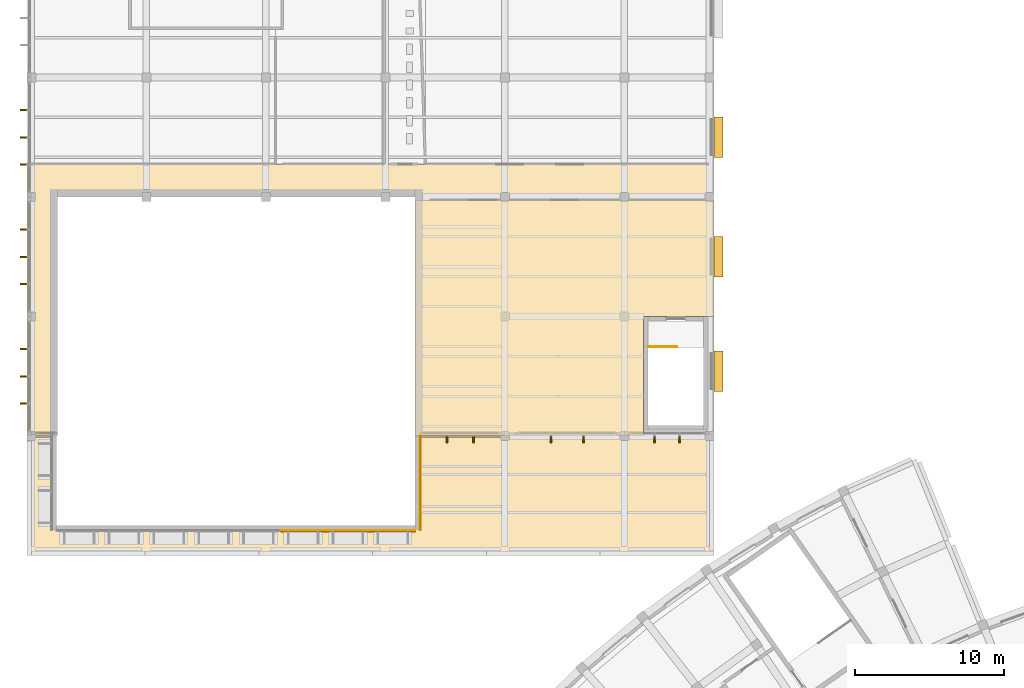
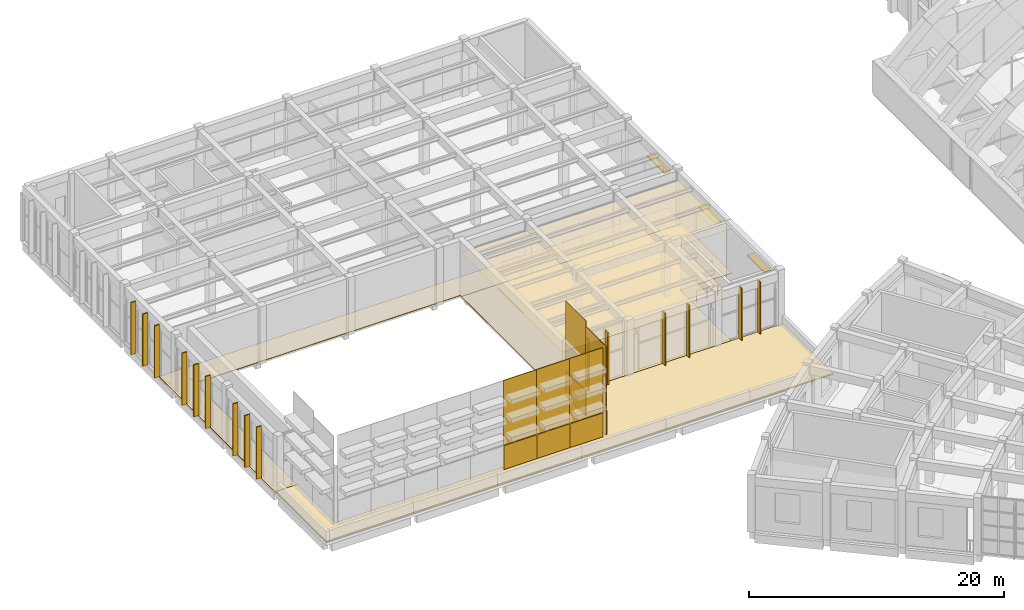
# One storey, part 83 of 94: 18 shading devices, 14 coverings, 1 railing.
"""IFC4 building model written with IfcOpenShell, lengths in metres."""

from ifc_helpers import new_model, si_unit, direction, frame, origin, origin_2d, place, context, subcontext, project, spatial, polyline, rectangle, circle, outline, extrude, material, layer, layer_set, type_object, element, save


model = new_model("IFC4")

# Units and contexts
model_context = context("Model", 3, precision=1e-05, world=origin(), true_north=direction((0.0, 1.0)))
body_context = subcontext(model_context, "Body", "Model", "MODEL_VIEW")
ifc_project = project(units=[si_unit("LENGTHUNIT", "METRE"), si_unit("AREAUNIT", "SQUARE_METRE"), si_unit("VOLUMEUNIT", "CUBIC_METRE"), si_unit("PLANEANGLEUNIT", "RADIAN"), si_unit("MASSUNIT", "GRAM", prefix="KILO")], contexts=[model_context])

# Site, building, storey
site_placement = place(None, origin())
site = spatial("IfcSite", under=ifc_project, at=site_placement, CompositionType="ELEMENT")
building_placement = place(site_placement, origin())
building = spatial("IfcBuilding", under=site, at=building_placement, Name="Lunette Opera House", CompositionType="ELEMENT")
storey_placement = place(building_placement, frame((0.0, 0.0, 22.5)))
storey = spatial("IfcBuildingStorey", under=building, at=storey_placement, Name="L04", CompositionType="ELEMENT", Elevation=22.5)

# Coverings
ifc_material_1 = material(Name="Clinker brick", Category="masonry")
ifc_layer_1 = layer(ifc_material_1, 0.114990234375)
ifc_layer_set_1 = layer_set([ifc_layer_1], Name="Clinker brick")
covering_type_1 = type_object("IfcCoveringType", Name="CLINKER CLADDING 115", PredefinedType="CLADDING", material=ifc_layer_set_1)
for number, where, z_axis, x_axis, name in (
    (1, (26.5, 65.64208984375, 0.0), (0.0, 0.0, 1.0), (1.0, 0.0, 0.0), "Loft cladding S 5"),
    (2, (29.5, 65.64208984375, 0.0), (0.0, 0.0, 1.0), (1.0, 0.0, 0.0), "Loft cladding S 6"),
    (3, (32.5, 65.64208984375, 0.0), (0.0, 0.0, 1.0), (1.0, 0.0, 0.0), "Loft cladding S 7"),
):
    element("IfcCovering", number, at=place(storey_placement, frame(where, z_axis=z_axis, x_axis=x_axis)), inside=storey, type_object=covering_type_1, Name=name, PredefinedType="CLADDING", context=body_context, shape_type="SweptSolid", body=[
        extrude(rectangle(XDim=3.0, YDim=0.114990234375, at=origin_2d()), origin(), (0.0, 0.0, 1.0), 2.39990234375),
    ])
for number, where, z_axis, x_axis, name in (
    (4, (34.35791015625, 67.27490234375, 0.0), (0.0, 0.0, 1.0), (0.0, 1.0, 0.0), "Loft cladding E2 0"),
    (5, (34.35791015625, 70.425048828125, 0.0), (0.0, 0.0, 1.0), (0.0, 1.0, 0.0), "Loft cladding E2 1"),
):
    element("IfcCovering", number, at=place(storey_placement, frame(where, z_axis=z_axis, x_axis=x_axis)), inside=storey, type_object=covering_type_1, Name=name, PredefinedType="CLADDING", context=body_context, shape_type="SweptSolid", body=[
        extrude(rectangle(XDim=3.14990234375, YDim=0.114990234375, at=origin_2d()), origin(), (0.0, 0.0, 1.0), 2.39990234375),
    ])
ifc_material_2 = material(Name="Bitumen membrane on mineral wool")
ifc_layer_2 = layer(ifc_material_2, 0.1201171875)
ifc_layer_set_2 = layer_set([ifc_layer_2], Name="Bitumen membrane on mineral wool")
covering_type_2 = type_object("IfcCoveringType", Name="FLAT ROOF MEMBRANE 120", PredefinedType="ROOFING", material=ifc_layer_set_2)
covering_1_placement = place(storey_placement, origin())
element("IfcCovering", 6, at=covering_1_placement, inside=storey, type_object=covering_type_2, Name="Flat roof membrane RW L03 11", PredefinedType="ROOFING", context=body_context, shape_type="SweptSolid", body=[
    extrude(outline(polyline([(53.949951171875, 64.050048828125), (8.050048828125, 64.050048828125), (8.050048828125, 71.929931640625), (9.949951171875, 71.929931640625), (9.949951171875, 66.0), (9.949951171875, 65.9951171875), (9.950927734375, 65.989990234375), (9.951904296875, 65.985107421875), (9.9541015625, 65.98095703125), (9.9560546875, 65.97607421875), (9.9580078125, 65.971923828125), (9.9609375, 65.968017578125), (9.965087890625, 65.965087890625), (9.968017578125, 65.9609375), (9.971923828125, 65.9580078125), (9.97607421875, 65.9560546875), (9.98095703125, 65.9541015625), (9.985107421875, 65.951904296875), (9.989990234375, 65.950927734375), (9.9951171875, 65.949951171875), (10.0, 65.949951171875), (34.0, 65.949951171875), (34.0048828125, 65.949951171875), (34.010009765625, 65.950927734375), (34.014892578125, 65.951904296875), (34.01904296875, 65.9541015625), (34.02392578125, 65.9560546875), (34.028076171875, 65.9580078125), (34.031982421875, 65.9609375), (34.034912109375, 65.965087890625), (34.0390625, 65.968017578125), (34.0419921875, 65.971923828125), (34.0439453125, 65.97607421875), (34.0458984375, 65.98095703125), (34.048095703125, 65.985107421875), (34.049072265625, 65.989990234375), (34.050048828125, 65.9951171875), (34.050048828125, 66.0), (34.050048828125, 71.929931640625), (53.949951171875, 71.929931640625), (53.949951171875, 64.050048828125)])), origin(), (0.0, 0.0, 1.0), 0.1201171875),
])
ifc_material_3 = material(Name="Cement screed")
ifc_layer_3 = layer(ifc_material_3, 0.070068359375)
ifc_layer_set_3 = layer_set([ifc_layer_3], Name="Cement screed")
covering_type_3 = type_object("IfcCoveringType", Name="SCREED FLOOR FINISH 70", PredefinedType="FLOORING", material=ifc_layer_set_3)
covering_2_placement = place(storey_placement, origin())
element("IfcCovering", 7, at=covering_2_placement, inside=storey, type_object=covering_type_3, Name="Floor finish Corridor L04 Rehearsal", PredefinedType="FLOORING", context=body_context, shape_type="SweptSolid", body=[
    extrude(outline(polyline([(34.0, 88.0), (10.0, 88.0), (10.0, 87.800048828125), (10.0, 72.0), (8.0, 72.0), (8.0, 87.800048828125), (8.0, 90.199951171875), (34.68408203125, 90.199951171875), (54.0, 90.199951171875), (54.0, 87.800048828125), (34.0, 87.800048828125), (34.0, 88.0)])), origin(), (0.0, 0.0, 1.0), 0.070068359375),
])

# Shading devices
ifc_material_4 = material(Name="Powder-coated aluminium", Category="aluminium")
shading_device_type_1 = type_object("IfcShadingDeviceType", Name="SOLAR FIN 100 X 450", PredefinedType="USERDEFINED", material=ifc_material_4)
for number, where, z_axis, x_axis, name in (
    (8, (36.133056640625, 71.76806640625, 0.115234375), (0.0, 0.0, 1.0), (0.0, -1.0, 0.0), "Solar fin RW-X2057 1"),
    (9, (37.902099609375, 71.76806640625, 0.115234375), (0.0, 0.0, 1.0), (0.0, -1.0, 0.0), "Solar fin RW-X2057 2"),
    (10, (43.092041015625, 71.76806640625, 0.115234375), (0.0, 0.0, 1.0), (0.0, -1.0, 0.0), "Solar fin RW-X2059 1"),
    (11, (45.27294921875, 71.76806640625, 0.115234375), (0.0, 0.0, 1.0), (0.0, -1.0, 0.0), "Solar fin RW-X2059 2"),
    (12, (50.010009765625, 71.76806640625, 0.115234375), (0.0, 0.0, 1.0), (0.0, -1.0, 0.0), "Solar fin RW-X2060 1"),
    (13, (51.68994140625, 71.76806640625, 0.115234375), (0.0, 0.0, 1.0), (0.0, -1.0, 0.0), "Solar fin RW-X2060 2"),
    (14, (7.76708984375, 93.8349609375, 0.115234375), (0.0, 0.0, 1.0), (-1.0, 0.0, 0.0), "Solar fin RW-X2063 1"),
    (15, (7.76708984375, 92.0, 0.115234375), (0.0, 0.0, 1.0), (-1.0, 0.0, 0.0), "Solar fin RW-X2063 2"),
    (16, (7.76708984375, 90.1650390625, 0.115234375), (0.0, 0.0, 1.0), (-1.0, 0.0, 0.0), "Solar fin RW-X2063 3"),
    (17, (7.76708984375, 85.8349609375, 0.115234375), (0.0, 0.0, 1.0), (-1.0, 0.0, 0.0), "Solar fin RW-X2064 1"),
    (18, (7.76708984375, 84.0, 0.115234375), (0.0, 0.0, 1.0), (-1.0, 0.0, 0.0), "Solar fin RW-X2064 2"),
    (19, (7.76708984375, 82.1650390625, 0.115234375), (0.0, 0.0, 1.0), (-1.0, 0.0, 0.0), "Solar fin RW-X2064 3"),
    (20, (7.76708984375, 77.8349609375, 0.115234375), (0.0, 0.0, 1.0), (-1.0, 0.0, 0.0), "Solar fin RW-X2065 1"),
    (21, (7.76708984375, 76.0, 0.115234375), (0.0, 0.0, 1.0), (-1.0, 0.0, 0.0), "Solar fin RW-X2065 2"),
    (22, (7.76708984375, 74.1650390625, 0.115234375), (0.0, 0.0, 1.0), (-1.0, 0.0, 0.0), "Solar fin RW-X2065 3"),
):
    element("IfcShadingDevice", number, at=place(storey_placement, frame(where, z_axis=z_axis, x_axis=x_axis)), inside=storey, type_object=shading_device_type_1, Name=name, ObjectType="SOLAR FIN", PredefinedType="USERDEFINED", context=body_context, shape_type="SweptSolid", body=[
        extrude(rectangle(XDim=0.449951171875, YDim=0.10009765625, at=origin_2d()), origin(), (0.0, 0.0, 1.0), 4.985107421875),
    ])

# Railing
ifc_material_5 = material(Name="Steel S355", Category="steel")
railing_type = type_object("IfcRailingType", Name="STAIR GUARD 1100", PredefinedType="GUARDRAIL", material=ifc_material_5)
railing_placement = place(storey_placement, frame((49.60009765625, 77.97998046875, 0.0)))
element("IfcRailing", 23, at=railing_placement, inside=storey, type_object=railing_type, Name="L04 ST16 top well guard 1", PredefinedType="GUARDRAIL", context=body_context, shape_type="SweptSolid", body=[
    extrude(circle(Radius=0.02392578125, at=origin_2d()), frame((0.0, 0.0, 1.076171875), z_axis=(1.0, 0.0, 0.0), x_axis=(0.0, 1.0, 0.0)), (0.0, 0.0, 1.0), 1.929931640625),
    extrude(circle(Radius=0.02099609375, at=origin_2d()), origin(), (0.0, 0.0, 1.0), 1.052001953125),
    extrude(circle(Radius=0.02099609375, at=origin_2d()), frame((0.96484375, 0.0, 0.0)), (0.0, 0.0, 1.0), 1.052001953125),
    extrude(circle(Radius=0.02099609375, at=origin_2d()), frame((1.929931640625, 0.0, 0.0)), (0.0, 0.0, 1.0), 1.052001953125),
])

# Coverings
ifc_material_6 = material(Name="Aluminium standing seam cladding", Category="aluminium")
ifc_layer_4 = layer(ifc_material_6, 0.06005859375)
ifc_layer_set_4 = layer_set([ifc_layer_4], Name="Aluminium standing seam cladding")
covering_type_4 = type_object("IfcCoveringType", Name="STANDING SEAM CLADDING 60", PredefinedType="CLADDING", material=ifc_layer_set_4)
for number, where, z_axis, x_axis, name in (
    (24, (26.5, 65.669921875, 2.39990234375), (0.0, 0.0, 1.0), (1.0, 0.0, 0.0), "Loft cladding S 5"),
    (25, (29.5, 65.669921875, 2.39990234375), (0.0, 0.0, 1.0), (1.0, 0.0, 0.0), "Loft cladding S 6"),
    (26, (32.5, 65.669921875, 2.39990234375), (0.0, 0.0, 1.0), (1.0, 0.0, 0.0), "Loft cladding S 7"),
):
    element("IfcCovering", number, at=place(storey_placement, frame(where, z_axis=z_axis, x_axis=x_axis)), inside=storey, type_object=covering_type_4, Name=name, PredefinedType="CLADDING", context=body_context, shape_type="SweptSolid", body=[
        extrude(rectangle(XDim=3.0, YDim=0.06005859375, at=origin_2d()), origin(), (0.0, 0.0, 1.0), 6.199951171875),
    ])
covering_3_placement = place(storey_placement, frame((34.330078125, 67.27490234375, 2.39990234375), z_axis=(0.0, 0.0, 1.0), x_axis=(0.0, 1.0, 0.0)))
element("IfcCovering", 27, at=covering_3_placement, inside=storey, type_object=covering_type_4, Name="Loft cladding E2 0", PredefinedType="CLADDING", context=body_context, shape_type="SweptSolid", body=[
    extrude(rectangle(XDim=3.14990234375, YDim=0.06005859375, at=origin_2d()), origin(), (0.0, 0.0, 1.0), 6.199951171875),
])
covering_4_placement = place(storey_placement, frame((34.330078125, 70.425048828125, 2.3994140625), z_axis=(0.0, 0.0, 1.0), x_axis=(0.0, 1.0, 0.0)))
element("IfcCovering", 28, at=covering_4_placement, inside=storey, type_object=covering_type_4, Name="Loft cladding E2 1", PredefinedType="CLADDING", context=body_context, shape_type="SweptSolid", body=[
    extrude(rectangle(XDim=3.14990234375, YDim=0.06005859375, at=origin_2d()), origin(), (0.0, 0.0, 1.0), 6.702880859375),
])
ifc_material_7 = material(Name="Mineral fibre board")
ifc_layer_5 = layer(ifc_material_7, 0.014892578125)
ifc_layer_set_5 = layer_set([ifc_layer_5], Name="Mineral fibre board")
covering_type_5 = type_object("IfcCoveringType", Name="SUSPENDED ACOUSTIC CEILING 15", PredefinedType="CEILING", material=ifc_layer_set_5)
covering_5_placement = place(storey_placement, frame((0.0, 0.0, 4.284912109375)))
element("IfcCovering", 29, at=covering_5_placement, inside=storey, type_object=covering_type_5, Name="Ceiling Ensemble Practice Hall", PredefinedType="CEILING", context=body_context, shape_type="SweptSolid", body=[
    extrude(outline(polyline([(54.0, 80.0009765625), (53.597900390625, 80.0009765625), (53.597900390625, 80.0), (49.300048828125, 80.0), (49.300048828125, 72.402099609375), (49.299072265625, 72.402099609375), (49.299072265625, 72.0), (34.0, 72.0), (34.0, 87.800048828125), (54.0, 87.800048828125), (54.0, 80.0009765625)])), origin(), (0.0, 0.0, 1.0), 0.01513671875),
])
ifc_material_8 = material(Name="Terrazzo")
ifc_layer_6 = layer(ifc_material_8, 0.06005859375)
ifc_layer_set_6 = layer_set([ifc_layer_6], Name="Terrazzo")
covering_type_6 = type_object("IfcCoveringType", Name="TERRAZZO FLOOR FINISH 60", PredefinedType="FLOORING", material=ifc_layer_set_6)
covering_6_placement = place(storey_placement, origin())
element("IfcCovering", 30, at=covering_6_placement, inside=storey, type_object=covering_type_6, Name="Floor finish Ensemble Practice Hall", PredefinedType="FLOORING", context=body_context, shape_type="SweptSolid", body=[
    extrude(outline(polyline([(54.0, 80.0009765625), (53.597900390625, 80.0009765625), (53.597900390625, 80.0), (49.300048828125, 80.0), (49.300048828125, 72.402099609375), (49.299072265625, 72.402099609375), (49.299072265625, 72.0), (34.0, 72.0), (34.0, 87.800048828125), (54.0, 87.800048828125), (54.0, 80.0009765625)])), origin(), (0.0, 0.0, 1.0), 0.06005859375),
])

# Shading devices
ifc_material_9 = material(Name="Powder-coated aluminium", Category="aluminium")
ifc_layer_7 = layer(ifc_material_9, 0.1201171875)
ifc_layer_set_7 = layer_set([ifc_layer_7], Name="Powder-coated aluminium")
shading_device_type_2 = type_object("IfcShadingDeviceType", Name="WINDOW HOOD 600 X 2700", PredefinedType="USERDEFINED", material=ifc_layer_set_7)
for number, where, z_axis, x_axis, name in (
    (31, (54.300048828125, 76.327880859375, 3.079833984375), (0.0, 0.0, 1.0), (1.0, 0.0, 0.0), "Window hood RW-N2049"),
    (32, (54.300048828125, 83.99609375, 3.079833984375), (0.0, 0.0, 1.0), (1.0, 0.0, 0.0), "Window hood RW-N2050"),
    (33, (54.300048828125, 92.0, 3.079833984375), (0.0, 0.0, 1.0), (1.0, 0.0, 0.0), "Window hood RW-N2051"),
):
    element("IfcShadingDevice", number, at=place(storey_placement, frame(where, z_axis=z_axis, x_axis=x_axis)), inside=storey, type_object=shading_device_type_2, Name=name, ObjectType="WINDOW HOOD", PredefinedType="USERDEFINED", context=body_context, shape_type="SweptSolid", body=[
        extrude(rectangle(XDim=0.60009765625, YDim=2.699951171875, at=origin_2d()), origin(), (0.0, 0.0, 1.0), 0.1201171875),
    ])

save(model, "model.ifc")
